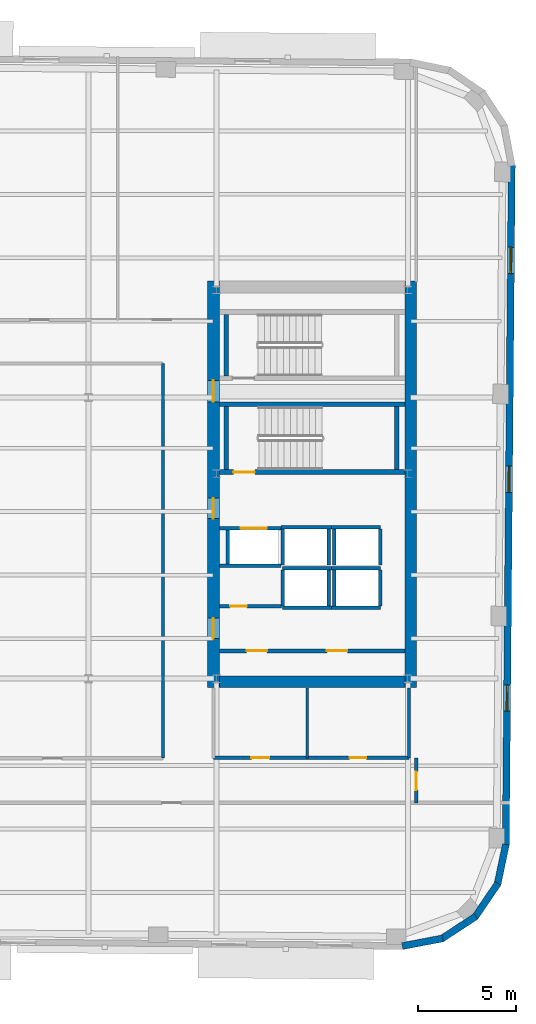
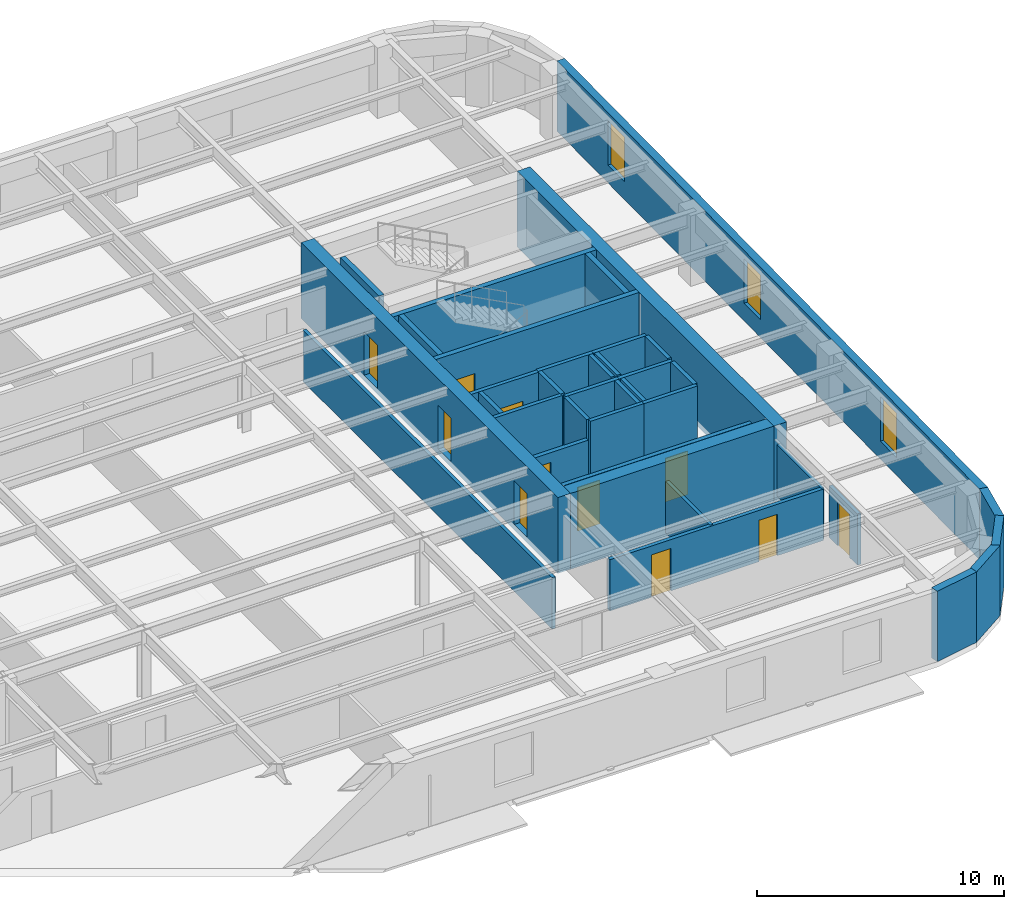
# One storey, part 5 of 10: 37 walls, 11 doors, 3 windows, 14 openings.
"""IFC4 building model written with IfcOpenShell, lengths in metres."""

from ifc_helpers import new_model, si_unit, direction, frame, frame_2d, origin, place, context, subcontext, project, spatial, rectangle, extrude, material, layer, layer_set, type_object, element, fill, save


model = new_model("IFC4")

# Units and contexts
model_context = context("Model", 3, precision=1e-05, world=origin(), true_north=direction((0.0, 1.0)))
body_context = subcontext(model_context, "Body", "Model", "MODEL_VIEW")
ifc_project = project(units=[si_unit("LENGTHUNIT", "METRE"), si_unit("AREAUNIT", "SQUARE_METRE"), si_unit("VOLUMEUNIT", "CUBIC_METRE"), si_unit("PLANEANGLEUNIT", "RADIAN"), si_unit("MASSUNIT", "GRAM", prefix="KILO")], contexts=[model_context])

# Site, building, storey
site_placement = place(None, origin())
site = spatial("IfcSite", under=ifc_project, at=site_placement, CompositionType="ELEMENT")
building_placement = place(site_placement, origin())
building = spatial("IfcBuilding", under=site, at=building_placement, Name="Kolvaren Arena Tower", CompositionType="ELEMENT")
storey_placement = place(building_placement, frame((0.0, 0.0, 192.199951171875)))
storey = spatial("IfcBuildingStorey", under=building, at=storey_placement, Name="L46", CompositionType="ELEMENT", Elevation=192.199951171875)

# Wall
ifc_material_1 = material(Name="Gypsum board acoustic assembly", Category="gypsum")
ifc_layer_1 = layer(ifc_material_1, 0.159912109375)
ifc_layer_set_1 = layer_set([ifc_layer_1], Name="Gypsum board acoustic assembly")
wall_type_1 = type_object("IfcWallType", Name="CORR-160", PredefinedType="PARTITIONING", material=ifc_layer_set_1)
wall_1_placement = place(storey_placement, frame((47.820068359375, 15.3798828125, 0.0), z_axis=(0.0, 0.0, 1.0), x_axis=(0.0, 1.0, 0.0)))
element("IfcWall", 1, at=wall_1_placement, inside=storey, type_object=wall_type_1, Name="Interior Partition Wall (L46)", PredefinedType="PARTITIONING", context=body_context, shape_type="SweptSolid", body=[
    extrude(rectangle(XDim=20.2001953125, YDim=0.159912109375, at=frame_2d((10.10009765625, 0.0))), origin(), (0.0, 0.0, 1.0), 2.5400390625),
])

# Wall, opening, door
wall_2_placement = place(storey_placement, frame((60.780029296875, 13.10009765625, 0.0), z_axis=(0.0, 0.0, 1.0), x_axis=(0.0, 1.0, 0.0)))
wall_2 = element("IfcWall", 2, at=wall_2_placement, inside=storey, type_object=wall_type_1, Name="Interior Partition Wall (L46)", PredefinedType="PARTITIONING", context=body_context, shape_type="SweptSolid", body=[
    extrude(rectangle(XDim=2.2998046875, YDim=0.159912109375, at=frame_2d((1.14990234375, 0.0))), origin(), (0.0, 0.0, 1.0), 2.5400390625),
])
opening_1_placement = place(wall_2_placement, frame((0.64990234375, 0.0, 0.0)))
opening_1 = element("IfcOpeningElement", 3, at=opening_1_placement, cuts=wall_2, Name="Opening D05", PredefinedType="OPENING", context=body_context, shape_type="SweptSolid", body=[
    extrude(rectangle(XDim=0.949951171875, YDim=2.14990234375, at=frame_2d((0.47509765625, 1.074951171875))), frame((0.0, 0.08984375, 0.0), z_axis=(0.0, -1.0, 0.0), x_axis=(1.0, 0.0, 0.0)), (0.0, 0.0, 1.0), 0.179931640625),
])
ifc_material_2 = material(Name="Solid-core oak acoustic office door", Category="wood")
door_type_1 = type_object("IfcDoorType", Name="DOOR-OF-095", OperationType="NOTDEFINED", PredefinedType="DOOR", material=ifc_material_2)
door_1_placement = place(opening_1_placement, origin())
door_1 = element("IfcDoor", 4, at=door_1_placement, inside=storey, type_object=door_type_1, Name="East Wing Studio Door (L46)", OperationType="SINGLE_SWING_RIGHT", OverallHeight=2.14990234375, OverallWidth=0.949951171875, PredefinedType="DOOR", context=body_context, shape_type="SweptSolid", body=[
    extrude(rectangle(XDim=0.949951171875, YDim=2.14990234375, at=frame_2d((0.47509765625, 1.074951171875))), frame((0.0, 0.02490234375, 0.0), z_axis=(0.0, -1.0, 0.0), x_axis=(1.0, 0.0, 0.0)), (0.0, 0.0, 1.0), 0.050048828125),
])
fill(opening_1, door_1)

# Wall, openings, doors
ifc_material_3 = material(Name="Concrete 60 MPa", Category="concrete")
ifc_layer_2 = layer(ifc_material_3, 0.60009765625)
ifc_layer_set_2 = layer_set([ifc_layer_2], Name="Concrete 60 MPa")
wall_type_2 = type_object("IfcWallType", Name="CWALL-600", PredefinedType="SHEAR", material=ifc_layer_set_2)
wall_3_placement = place(storey_placement, frame((50.39990234375, 19.0, -0.27001953125), z_axis=(0.0, 0.0, 1.0), x_axis=(0.0, 1.0, 0.0)))
wall_3 = element("IfcWall", 5, at=wall_3_placement, inside=storey, type_object=wall_type_2, Name="Core Shear Wall EC-WEST (L46)", PredefinedType="SHEAR", context=body_context, shape_type="SweptSolid", body=[
    extrude(rectangle(XDim=20.800048828125, YDim=0.60009765625, at=frame_2d((10.39990234375, 0.0))), origin(), (0.0, 0.0, 1.0), 3.75),
])
opening_2_placement = place(wall_3_placement, frame((2.5, 0.0, 0.27001953125)))
opening_2 = element("IfcOpeningElement", 6, at=opening_2_placement, cuts=wall_3, Name="Opening D04", PredefinedType="OPENING", context=body_context, shape_type="SweptSolid", body=[
    extrude(rectangle(XDim=1.050048828125, YDim=2.14990234375, at=frame_2d((0.52490234375, 1.074951171875))), frame((0.0, 0.31005859375, 0.0), z_axis=(0.0, -1.0, 0.0), x_axis=(1.0, 0.0, 0.0)), (0.0, 0.0, 1.0), 0.6201171875),
])
opening_3_placement = place(wall_3_placement, frame((8.64990234375, 0.0, 0.27001953125)))
opening_3 = element("IfcOpeningElement", 7, at=opening_3_placement, cuts=wall_3, Name="Opening D04", PredefinedType="OPENING", context=body_context, shape_type="SweptSolid", body=[
    extrude(rectangle(XDim=1.050048828125, YDim=2.14990234375, at=frame_2d((0.52490234375, 1.074951171875))), frame((0.0, 0.31005859375, 0.0), z_axis=(0.0, -1.0, 0.0), x_axis=(1.0, 0.0, 0.0)), (0.0, 0.0, 1.0), 0.6201171875),
])
opening_4_placement = place(wall_3_placement, frame((14.6201171875, 0.0, 0.27001953125)))
opening_4 = element("IfcOpeningElement", 8, at=opening_4_placement, cuts=wall_3, Name="Opening D03", PredefinedType="OPENING", context=body_context, shape_type="SweptSolid", body=[
    extrude(rectangle(XDim=1.10009765625, YDim=2.14990234375, at=frame_2d((0.550048828125, 1.074951171875))), frame((0.0, 0.31005859375, 0.0), z_axis=(0.0, -1.0, 0.0), x_axis=(1.0, 0.0, 0.0)), (0.0, 0.0, 1.0), 0.6201171875),
])
ifc_material_4 = material(Name="Fire-rated steel lobby door", Category="steel")
door_type_2 = type_object("IfcDoorType", Name="DOOR-FF-105", OperationType="NOTDEFINED", PredefinedType="DOOR", material=ifc_material_4)
door_2_placement = place(opening_2_placement, origin())
door_2 = element("IfcDoor", 9, at=door_2_placement, inside=storey, type_object=door_type_2, Name="East Lift Lobby Fire Door (L46)", OperationType="SINGLE_SWING_RIGHT", OverallHeight=2.14990234375, OverallWidth=1.050048828125, PredefinedType="DOOR", context=body_context, shape_type="SweptSolid", body=[
    extrude(rectangle(XDim=1.050048828125, YDim=2.14990234375, at=frame_2d((0.52490234375, 1.074951171875))), frame((0.0, 0.02490234375, 0.0), z_axis=(0.0, -1.0, 0.0), x_axis=(1.0, 0.0, 0.0)), (0.0, 0.0, 1.0), 0.050048828125),
])
fill(opening_2, door_2)
door_3_placement = place(opening_3_placement, origin())
door_3 = element("IfcDoor", 10, at=door_3_placement, inside=storey, type_object=door_type_2, Name="East Firefighter Vestibule Door (L46)", OperationType="SINGLE_SWING_LEFT", OverallHeight=2.14990234375, OverallWidth=1.050048828125, PredefinedType="DOOR", context=body_context, shape_type="SweptSolid", body=[
    extrude(rectangle(XDim=1.050048828125, YDim=2.14990234375, at=frame_2d((0.52490234375, 1.074951171875))), frame((0.0, 0.02490234375, 0.0), z_axis=(0.0, -1.0, 0.0), x_axis=(1.0, 0.0, 0.0)), (0.0, 0.0, 1.0), 0.050048828125),
])
fill(opening_3, door_3)
ifc_material_5 = material(Name="Fire-rated steel exit stair door", Category="steel")
door_type_3 = type_object("IfcDoorType", Name="DOOR-ST-110", OperationType="NOTDEFINED", PredefinedType="DOOR", material=ifc_material_5)
door_4_placement = place(opening_4_placement, origin())
door_4 = element("IfcDoor", 11, at=door_4_placement, inside=storey, type_object=door_type_3, Name="Stair ST-E2 Vestibule Fire Door (L46)", OperationType="SINGLE_SWING_LEFT", OverallHeight=2.14990234375, OverallWidth=1.10009765625, PredefinedType="DOOR", context=body_context, shape_type="SweptSolid", body=[
    extrude(rectangle(XDim=1.10009765625, YDim=2.14990234375, at=frame_2d((0.550048828125, 1.074951171875))), frame((0.0, 0.02490234375, 0.0), z_axis=(0.0, -1.0, 0.0), x_axis=(1.0, 0.0, 0.0)), (0.0, 0.0, 1.0), 0.050048828125),
])
fill(opening_4, door_4)

# Walls
wall_4_placement = place(storey_placement, frame((60.5, 19.0, -0.27001953125), z_axis=(0.0, 0.0, 1.0), x_axis=(0.0, 1.0, 0.0)))
element("IfcWall", 12, at=wall_4_placement, inside=storey, type_object=wall_type_2, Name="Core Shear Wall EC-EAST (L46)", PredefinedType="SHEAR", context=body_context, shape_type="SweptSolid", body=[
    extrude(rectangle(XDim=20.800048828125, YDim=0.60009765625, at=frame_2d((10.39990234375, 0.0))), origin(), (0.0, 0.0, 1.0), 3.75),
])
wall_5_placement = place(storey_placement, frame((50.699951171875, 19.300048828125, -0.27001953125), z_axis=(0.0, 0.0, 1.0), x_axis=(1.0, 0.0, 0.0)))
element("IfcWall", 13, at=wall_5_placement, inside=storey, type_object=wall_type_2, Name="Core Shear Wall EC-SOUTH (L46)", PredefinedType="SHEAR", context=body_context, shape_type="SweptSolid", body=[
    extrude(rectangle(XDim=9.5, YDim=0.60009765625, at=frame_2d((4.75, 0.0))), origin(), (0.0, 0.0, 1.0), 3.75),
])
ifc_material_6 = material(Name="Precast concrete C50/60", Category="concrete")
ifc_layer_3 = layer(ifc_material_6, 0.360107421875)
ifc_layer_set_3 = layer_set([ifc_layer_3], Name="Precast concrete C50/60")
wall_type_3 = type_object("IfcWallType", Name="EXT-PIER2", PredefinedType="SOLIDWALL", material=ifc_layer_set_3)
wall_6_placement = place(storey_placement, frame((62.136474609375, 6.155029296875, 0.0), z_axis=(0.0, 0.0, 1.0), x_axis=(-0.98246713518, -0.186435855703, 0.0)))
element("IfcWall", 14, at=wall_6_placement, inside=storey, type_object=wall_type_3, Name="Exterior Precast Masonry-Frame Wall (L46)", PredefinedType="SOLIDWALL", context=body_context, shape_type="SweptSolid", body=[
    extrude(rectangle(XDim=2.10693359375, YDim=0.360107421875, at=frame_2d((1.053466796875, 0.0))), origin(), (0.0, 0.0, 1.0), 3.47998046875),
])
wall_7_placement = place(storey_placement, frame((63.83349609375, 7.2841796875, 0.0), z_axis=(0.0, 0.0, 1.0), x_axis=(-0.836303589916, -0.548266637224, 0.0)))
element("IfcWall", 15, at=wall_7_placement, inside=storey, type_object=wall_type_3, Name="Exterior Precast Masonry-Frame Wall (L46)", PredefinedType="SOLIDWALL", context=body_context, shape_type="SweptSolid", body=[
    extrude(rectangle(XDim=2.107177734375, YDim=0.360107421875, at=frame_2d((1.0537109375, 0.0))), origin(), (0.0, 0.0, 1.0), 3.47998046875),
])
for number, where, z_axis, x_axis, name in (
    (16, (64.968994140625, 8.9765625, 0.0), (0.0, 0.0, 1.0), (-0.56277581689, -0.826609569219, 0.0), "Exterior Precast Masonry-Frame Wall (L46)"),
    (17, (65.370849609375, 10.974609375, 0.0), (0.0, 0.0, 1.0), (-0.203709000552, -0.979031482177, 0.0), "Exterior Precast Masonry-Frame Wall (L46)"),
):
    element("IfcWall", number, at=place(storey_placement, frame(where, z_axis=z_axis, x_axis=x_axis)), inside=storey, type_object=wall_type_3, Name=name, PredefinedType="SOLIDWALL", context=body_context, shape_type="SweptSolid", body=[
        extrude(rectangle(XDim=2.10693359375, YDim=0.360107421875, at=frame_2d((1.053466796875, 0.0))), origin(), (0.0, 0.0, 1.0), 3.47998046875),
    ])

# Wall, openings, windows
wall_8_placement = place(storey_placement, frame((65.670654296875, 45.73828125, 0.0), z_axis=(0.0, 0.0, 1.0), x_axis=(-0.008727348535, -0.999961915969, 0.0)))
wall_8 = element("IfcWall", 18, at=wall_8_placement, inside=storey, type_object=wall_type_3, Name="Exterior Precast Masonry-Frame Wall (L46)", PredefinedType="SOLIDWALL", context=body_context, shape_type="SweptSolid", body=[
    extrude(rectangle(XDim=34.7998046875, YDim=0.360107421875, at=frame_2d((17.39990234375, 0.0))), origin(), (0.0, 0.0, 1.0), 3.47998046875),
])
opening_5_placement = place(wall_8_placement, frame((4.199951171875, 0.0, 0.8798828125)))
opening_5 = element("IfcOpeningElement", 19, at=opening_5_placement, cuts=wall_8, Name="Opening W04", PredefinedType="OPENING", context=body_context, shape_type="SweptSolid", body=[
    extrude(rectangle(XDim=1.35009765625, YDim=2.199951171875, at=frame_2d((0.675048828125, 1.10009765625))), frame((0.0, 0.18994140625, 0.0), z_axis=(0.0, -1.0, 0.0), x_axis=(1.0, 0.0, 0.0)), (0.0, 0.0, 1.0), 0.380126953125),
])
opening_6_placement = place(wall_8_placement, frame((15.39990234375, 0.0, 0.8798828125)))
opening_6 = element("IfcOpeningElement", 20, at=opening_6_placement, cuts=wall_8, Name="Opening W04", PredefinedType="OPENING", context=body_context, shape_type="SweptSolid", body=[
    extrude(rectangle(XDim=1.35009765625, YDim=2.199951171875, at=frame_2d((0.675048828125, 1.10009765625))), frame((0.0, 0.18994140625, 0.0), z_axis=(0.0, -1.0, 0.0), x_axis=(1.0, 0.0, 0.0)), (0.0, 0.0, 1.0), 0.380126953125),
])
opening_7_placement = place(wall_8_placement, frame((26.60009765625, 0.0, 0.8798828125)))
opening_7 = element("IfcOpeningElement", 21, at=opening_7_placement, cuts=wall_8, Name="Opening W04", PredefinedType="OPENING", context=body_context, shape_type="SweptSolid", body=[
    extrude(rectangle(XDim=1.35009765625, YDim=2.199951171875, at=frame_2d((0.675048828125, 1.10009765625))), frame((0.0, 0.18994140625, 0.0), z_axis=(0.0, -1.0, 0.0), x_axis=(1.0, 0.0, 0.0)), (0.0, 0.0, 1.0), 0.380126953125),
])
ifc_material_7 = material(Name="Triple-glazed curved-facet corner window", Category="glass")
window_type = type_object("IfcWindowType", Name="WIN-CRN-A", PartitioningType="SINGLE_PANEL", PredefinedType="WINDOW", material=ifc_material_7)
window_1_placement = place(opening_5_placement, origin())
window_1 = element("IfcWindow", 22, at=window_1_placement, inside=storey, type_object=window_type, Name="End-Wall Punched Window (L46)", OverallHeight=2.199951171875, OverallWidth=1.35009765625, PartitioningType="SINGLE_PANEL", PredefinedType="WINDOW", context=body_context, shape_type="SweptSolid", body=[
    extrude(rectangle(XDim=1.35009765625, YDim=2.199951171875, at=frame_2d((0.675048828125, 1.10009765625))), frame((0.0, 0.030029296875, 0.0), z_axis=(0.0, -1.0, 0.0), x_axis=(1.0, 0.0, 0.0)), (0.0, 0.0, 1.0), 0.06005859375),
])
fill(opening_5, window_1)
window_2_placement = place(opening_6_placement, origin())
window_2 = element("IfcWindow", 23, at=window_2_placement, inside=storey, type_object=window_type, Name="End-Wall Punched Window (L46)", OverallHeight=2.199951171875, OverallWidth=1.35009765625, PartitioningType="SINGLE_PANEL", PredefinedType="WINDOW", context=body_context, shape_type="SweptSolid", body=[
    extrude(rectangle(XDim=1.35009765625, YDim=2.199951171875, at=frame_2d((0.675048828125, 1.10009765625))), frame((0.0, 0.030029296875, 0.0), z_axis=(0.0, -1.0, 0.0), x_axis=(1.0, 0.0, 0.0)), (0.0, 0.0, 1.0), 0.06005859375),
])
fill(opening_6, window_2)
window_3_placement = place(opening_7_placement, origin())
window_3 = element("IfcWindow", 24, at=window_3_placement, inside=storey, type_object=window_type, Name="End-Wall Punched Window (L46)", OverallHeight=2.199951171875, OverallWidth=1.35009765625, PartitioningType="SINGLE_PANEL", PredefinedType="WINDOW", context=body_context, shape_type="SweptSolid", body=[
    extrude(rectangle(XDim=1.35009765625, YDim=2.199951171875, at=frame_2d((0.675048828125, 1.10009765625))), frame((0.0, 0.030029296875, 0.0), z_axis=(0.0, -1.0, 0.0), x_axis=(1.0, 0.0, 0.0)), (0.0, 0.0, 1.0), 0.06005859375),
])
fill(opening_7, window_3)

# Wall, openings, doors
ifc_material_8 = material(Name="Concrete 40 MPa", Category="concrete")
ifc_layer_4 = layer(ifc_material_8, 0.199951171875)
ifc_layer_set_4 = layer_set([ifc_layer_4], Name="Concrete 40 MPa")
wall_type_4 = type_object("IfcWallType", Name="LOBBY-200", PredefinedType="SOLIDWALL", material=ifc_layer_set_4)
wall_9_placement = place(storey_placement, frame((50.699951171875, 20.8798828125, 0.0), z_axis=(0.0, 0.0, 1.0), x_axis=(1.0, 0.0, 0.0)))
wall_9 = element("IfcWall", 25, at=wall_9_placement, inside=storey, type_object=wall_type_4, Name="Core Shaft Wall (L46)", PredefinedType="SOLIDWALL", context=body_context, shape_type="SweptSolid", body=[
    extrude(rectangle(XDim=9.5, YDim=0.199951171875, at=frame_2d((4.75, 0.0))), origin(), (0.0, 0.0, 1.0), 2.5400390625),
])
opening_8_placement = place(wall_9_placement, frame((1.39990234375, 0.0, 0.0)))
opening_8 = element("IfcOpeningElement", 26, at=opening_8_placement, cuts=wall_9, Name="Opening D04", PredefinedType="OPENING", context=body_context, shape_type="SweptSolid", body=[
    extrude(rectangle(XDim=1.050048828125, YDim=2.14990234375, at=frame_2d((0.52490234375, 1.074951171875))), frame((0.0, 0.10986328125, 0.0), z_axis=(0.0, -1.0, 0.0), x_axis=(1.0, 0.0, 0.0)), (0.0, 0.0, 1.0), 0.219970703125),
])
opening_9_placement = place(wall_9_placement, frame((5.5, 0.0, 0.0)))
opening_9 = element("IfcOpeningElement", 27, at=opening_9_placement, cuts=wall_9, Name="Opening D04", PredefinedType="OPENING", context=body_context, shape_type="SweptSolid", body=[
    extrude(rectangle(XDim=1.050048828125, YDim=2.14990234375, at=frame_2d((0.52490234375, 1.074951171875))), frame((0.0, 0.10986328125, 0.0), z_axis=(0.0, -1.0, 0.0), x_axis=(1.0, 0.0, 0.0)), (0.0, 0.0, 1.0), 0.219970703125),
])
door_5_placement = place(opening_8_placement, origin())
door_5 = element("IfcDoor", 28, at=door_5_placement, inside=storey, type_object=door_type_2, Name="East Telecom Room Fire Door (L46)", OperationType="SINGLE_SWING_RIGHT", OverallHeight=2.14990234375, OverallWidth=1.050048828125, PredefinedType="DOOR", context=body_context, shape_type="SweptSolid", body=[
    extrude(rectangle(XDim=1.050048828125, YDim=2.14990234375, at=frame_2d((0.52490234375, 1.074951171875))), frame((0.0, 0.02490234375, 0.0), z_axis=(0.0, -1.0, 0.0), x_axis=(1.0, 0.0, 0.0)), (0.0, 0.0, 1.0), 0.050048828125),
])
fill(opening_8, door_5)
door_6_placement = place(opening_9_placement, origin())
door_6 = element("IfcDoor", 29, at=door_6_placement, inside=storey, type_object=door_type_2, Name="East Records Room Fire Door (L46)", OperationType="SINGLE_SWING_LEFT", OverallHeight=2.14990234375, OverallWidth=1.050048828125, PredefinedType="DOOR", context=body_context, shape_type="SweptSolid", body=[
    extrude(rectangle(XDim=1.050048828125, YDim=2.14990234375, at=frame_2d((0.52490234375, 1.074951171875))), frame((0.0, 0.02490234375, 0.0), z_axis=(0.0, -1.0, 0.0), x_axis=(1.0, 0.0, 0.0)), (0.0, 0.0, 1.0), 0.050048828125),
])
fill(opening_9, door_6)

# Wall, opening, door
wall_10_placement = place(storey_placement, frame((50.699951171875, 23.159912109375, 0.0), z_axis=(0.0, 0.0, 1.0), x_axis=(1.0, 0.0, 0.0)))
wall_10 = element("IfcWall", 30, at=wall_10_placement, inside=storey, type_object=wall_type_4, Name="Core Shaft Wall (L46)", PredefinedType="SOLIDWALL", context=body_context, shape_type="SweptSolid", body=[
    extrude(rectangle(XDim=3.179931640625, YDim=0.199951171875, at=frame_2d((1.58984375, 0.0))), origin(), (0.0, 0.0, 1.0), 2.5400390625),
])
opening_10_placement = place(wall_10_placement, frame((0.550048828125, 0.0, 0.0)))
opening_10 = element("IfcOpeningElement", 31, at=opening_10_placement, cuts=wall_10, Name="Opening D09", PredefinedType="OPENING", context=body_context, shape_type="SweptSolid", body=[
    extrude(rectangle(XDim=0.860107421875, YDim=2.050048828125, at=frame_2d((0.43017578125, 1.02490234375))), frame((0.0, 0.10986328125, 0.0), z_axis=(0.0, -1.0, 0.0), x_axis=(1.0, 0.0, 0.0)), (0.0, 0.0, 1.0), 0.219970703125),
])
ifc_material_9 = material(Name="Fire-rated steel riser access door", Category="steel")
door_type_4 = type_object("IfcDoorType", Name="DOOR-RS-086", OperationType="NOTDEFINED", PredefinedType="DOOR", material=ifc_material_9)
door_7_placement = place(opening_10_placement, origin())
door_7 = element("IfcDoor", 32, at=door_7_placement, inside=storey, type_object=door_type_4, Name="East AV Riser Closet Door (L46)", OperationType="SINGLE_SWING_LEFT", OverallHeight=2.050048828125, OverallWidth=0.860107421875, PredefinedType="DOOR", context=body_context, shape_type="SweptSolid", body=[
    extrude(rectangle(XDim=0.860107421875, YDim=2.050048828125, at=frame_2d((0.43017578125, 1.02490234375))), frame((0.0, 0.02490234375, 0.0), z_axis=(0.0, -1.0, 0.0), x_axis=(1.0, 0.0, 0.0)), (0.0, 0.0, 1.0), 0.050048828125),
])
fill(opening_10, door_7)

ifc_material_10 = material(Name="Concrete 45 MPa", Category="concrete")
ifc_layer_5 = layer(ifc_material_10, 0.25)
ifc_layer_set_5 = layer_set([ifc_layer_5], Name="Concrete 45 MPa")
wall_type_5 = type_object("IfcWallType", Name="SHAFT-250", PredefinedType="SOLIDWALL", material=ifc_layer_set_5)
wall_11_placement = place(storey_placement, frame((60.199951171875, 30.030029296875, 0.0), z_axis=(0.0, 0.0, 1.0), x_axis=(-1.0, 0.0, 0.0)))
wall_11 = element("IfcWall", 33, at=wall_11_placement, inside=storey, type_object=wall_type_5, Name="Core Shaft Wall (L46)", PredefinedType="SOLIDWALL", context=body_context, shape_type="SweptSolid", body=[
    extrude(rectangle(XDim=9.5, YDim=0.239990234375, at=frame_2d((4.75, 0.0))), origin(), (0.0, 0.0, 1.0), 3.47998046875),
])
opening_11_placement = place(wall_11_placement, frame((7.679931640625, 0.0, 0.0)))
opening_11 = element("IfcOpeningElement", 34, at=opening_11_placement, cuts=wall_11, Name="Opening D03", PredefinedType="OPENING", context=body_context, shape_type="SweptSolid", body=[
    extrude(rectangle(XDim=1.10009765625, YDim=2.14990234375, at=frame_2d((0.550048828125, 1.074951171875))), frame((0.0, 0.1298828125, 0.0), z_axis=(0.0, -1.0, 0.0), x_axis=(1.0, 0.0, 0.0)), (0.0, 0.0, 1.0), 0.260009765625),
])
door_8_placement = place(opening_11_placement, origin())
door_8 = element("IfcDoor", 35, at=door_8_placement, inside=storey, type_object=door_type_3, Name="Stair ST-E1 Fire Door (L46)", OperationType="SINGLE_SWING_LEFT", OverallHeight=2.14990234375, OverallWidth=1.10009765625, PredefinedType="DOOR", context=body_context, shape_type="SweptSolid", body=[
    extrude(rectangle(XDim=1.10009765625, YDim=2.14990234375, at=frame_2d((0.550048828125, 1.074951171875))), frame((0.0, 0.02490234375, 0.0), z_axis=(0.0, -1.0, 0.0), x_axis=(1.0, 0.0, 0.0)), (0.0, 0.0, 1.0), 0.050048828125),
])
fill(opening_11, door_8)

# Walls
wall_12_placement = place(storey_placement, frame((50.699951171875, 33.5, 0.0), z_axis=(0.0, 0.0, 1.0), x_axis=(1.0, 0.0, 0.0)))
element("IfcWall", 36, at=wall_12_placement, inside=storey, type_object=wall_type_5, Name="Core Shaft Wall (L46)", PredefinedType="SOLIDWALL", context=body_context, shape_type="SweptSolid", body=[
    extrude(rectangle(XDim=9.5, YDim=0.239990234375, at=frame_2d((4.75, 0.0))), origin(), (0.0, 0.0, 1.0), 3.47998046875),
])
for number, where, z_axis, x_axis, name in (
    (37, (51.06005859375, 30.14990234375, 0.0), (0.0, 0.0, 1.0), (0.0, 1.0, 0.0), "Core Shaft Wall (L46)"),
    (38, (59.780029296875, 30.14990234375, 0.0), (0.0, 0.0, 1.0), (0.0, 1.0, 0.0), "Core Shaft Wall (L46)"),
):
    element("IfcWall", number, at=place(storey_placement, frame(where, z_axis=z_axis, x_axis=x_axis)), inside=storey, type_object=wall_type_5, Name=name, PredefinedType="SOLIDWALL", context=body_context, shape_type="SweptSolid", body=[
        extrude(rectangle(XDim=3.22998046875, YDim=0.239990234375, at=frame_2d((1.614990234375, 0.0))), origin(), (0.0, 0.0, 1.0), 3.47998046875),
    ])
wall_13_placement = place(storey_placement, frame((51.06005859375, 34.949951171875, 0.0), z_axis=(0.0, 0.0, 1.0), x_axis=(0.0, 1.0, 0.0)))
element("IfcWall", 39, at=wall_13_placement, inside=storey, type_object=wall_type_5, Name="Core Shaft Wall (L46)", PredefinedType="SOLIDWALL", context=body_context, shape_type="SweptSolid", body=[
    extrude(rectangle(XDim=3.150146484375, YDim=0.239990234375, at=frame_2d((1.5751953125, 0.0))), origin(), (0.0, 0.0, 1.0), 3.47998046875),
])
for number, where, z_axis, x_axis, name in (
    (40, (53.93994140625, 25.10498046875, 0.0), (0.0, 0.0, 1.0), (1.0, 0.0, 0.0), "Core Shaft Wall (L46)"),
    (41, (53.93994140625, 23.094970703125, 0.0), (0.0, 0.0, 1.0), (1.0, 0.0, 0.0), "Core Shaft Wall (L46)"),
):
    element("IfcWall", number, at=place(storey_placement, frame(where, z_axis=z_axis, x_axis=x_axis)), inside=storey, type_object=wall_type_5, Name=name, PredefinedType="SOLIDWALL", context=body_context, shape_type="SweptSolid", body=[
        extrude(rectangle(XDim=2.5, YDim=0.179931640625, at=frame_2d((1.25, 0.0))), origin(), (0.0, 0.0, 1.0), 3.47998046875),
    ])
for number, where, z_axis, x_axis, name in (
    (42, (53.93994140625, 23.18505859375, 0.0), (0.0, 0.0, 1.0), (0.0, 1.0, 0.0), "Core Shaft Wall (L46)"),
    (43, (56.300048828125, 23.18505859375, 0.0), (0.0, 0.0, 1.0), (0.0, 1.0, 0.0), "Core Shaft Wall (L46)"),
):
    element("IfcWall", number, at=place(storey_placement, frame(where, z_axis=z_axis, x_axis=x_axis)), inside=storey, type_object=wall_type_5, Name=name, PredefinedType="SOLIDWALL", context=body_context, shape_type="SweptSolid", body=[
        extrude(rectangle(XDim=1.829833984375, YDim=0.179931640625, at=frame_2d((0.9150390625, 0.0))), origin(), (0.0, 0.0, 1.0), 3.47998046875),
    ])
for number, where, z_axis, x_axis, name in (
    (44, (56.43994140625, 25.10498046875, 0.0), (0.0, 0.0, 1.0), (1.0, 0.0, 0.0), "Core Shaft Wall (L46)"),
    (45, (56.43994140625, 23.094970703125, 0.0), (0.0, 0.0, 1.0), (1.0, 0.0, 0.0), "Core Shaft Wall (L46)"),
):
    element("IfcWall", number, at=place(storey_placement, frame(where, z_axis=z_axis, x_axis=x_axis)), inside=storey, type_object=wall_type_5, Name=name, PredefinedType="SOLIDWALL", context=body_context, shape_type="SweptSolid", body=[
        extrude(rectangle(XDim=2.5, YDim=0.179931640625, at=frame_2d((1.25, 0.0))), origin(), (0.0, 0.0, 1.0), 3.47998046875),
    ])
for number, where, z_axis, x_axis, name in (
    (46, (56.580078125, 23.18505859375, 0.0), (0.0, 0.0, 1.0), (0.0, 1.0, 0.0), "Core Shaft Wall (L46)"),
    (47, (58.93994140625, 23.18505859375, 0.0), (0.0, 0.0, 1.0), (0.0, 1.0, 0.0), "Core Shaft Wall (L46)"),
):
    element("IfcWall", number, at=place(storey_placement, frame(where, z_axis=z_axis, x_axis=x_axis)), inside=storey, type_object=wall_type_5, Name=name, PredefinedType="SOLIDWALL", context=body_context, shape_type="SweptSolid", body=[
        extrude(rectangle(XDim=1.829833984375, YDim=0.179931640625, at=frame_2d((0.9150390625, 0.0))), origin(), (0.0, 0.0, 1.0), 3.47998046875),
    ])
wall_14_placement = place(storey_placement, frame((53.864990234375, 27.205078125, 0.0), z_axis=(0.0, 0.0, 1.0), x_axis=(1.0, 0.0, 0.0)))
element("IfcWall", 48, at=wall_14_placement, inside=storey, type_object=wall_type_5, Name="Core Shaft Wall (L46)", PredefinedType="SOLIDWALL", context=body_context, shape_type="SweptSolid", body=[
    extrude(rectangle(XDim=2.574951171875, YDim=0.179931640625, at=frame_2d((1.28759765625, 0.0))), origin(), (0.0, 0.0, 1.0), 3.47998046875),
])
for number, where, z_axis, x_axis, name in (
    (49, (53.93994140625, 25.284912109375, 0.0), (0.0, 0.0, 1.0), (0.0, 1.0, 0.0), "Core Shaft Wall (L46)"),
    (50, (56.300048828125, 25.284912109375, 0.0), (0.0, 0.0, 1.0), (0.0, 1.0, 0.0), "Core Shaft Wall (L46)"),
):
    element("IfcWall", number, at=place(storey_placement, frame(where, z_axis=z_axis, x_axis=x_axis)), inside=storey, type_object=wall_type_5, Name=name, PredefinedType="SOLIDWALL", context=body_context, shape_type="SweptSolid", body=[
        extrude(rectangle(XDim=1.830078125, YDim=0.179931640625, at=frame_2d((0.9150390625, 0.0))), origin(), (0.0, 0.0, 1.0), 3.47998046875),
    ])
wall_15_placement = place(storey_placement, frame((56.43994140625, 27.205078125, 0.0), z_axis=(0.0, 0.0, 1.0), x_axis=(1.0, 0.0, 0.0)))
element("IfcWall", 51, at=wall_15_placement, inside=storey, type_object=wall_type_5, Name="Core Shaft Wall (L46)", PredefinedType="SOLIDWALL", context=body_context, shape_type="SweptSolid", body=[
    extrude(rectangle(XDim=2.5, YDim=0.179931640625, at=frame_2d((1.25, 0.0))), origin(), (0.0, 0.0, 1.0), 3.47998046875),
])
for number, where, z_axis, x_axis, name in (
    (52, (56.580078125, 25.284912109375, 0.0), (0.0, 0.0, 1.0), (0.0, 1.0, 0.0), "Core Shaft Wall (L46)"),
    (53, (58.93994140625, 25.284912109375, 0.0), (0.0, 0.0, 1.0), (0.0, 1.0, 0.0), "Core Shaft Wall (L46)"),
):
    element("IfcWall", number, at=place(storey_placement, frame(where, z_axis=z_axis, x_axis=x_axis)), inside=storey, type_object=wall_type_5, Name=name, PredefinedType="SOLIDWALL", context=body_context, shape_type="SweptSolid", body=[
        extrude(rectangle(XDim=1.830078125, YDim=0.179931640625, at=frame_2d((0.9150390625, 0.0))), origin(), (0.0, 0.0, 1.0), 3.47998046875),
    ])

# Wall, opening, door
wall_16_placement = place(storey_placement, frame((50.699951171875, 27.155029296875, 0.0), z_axis=(0.0, 0.0, 1.0), x_axis=(1.0, 0.0, 0.0)))
wall_16 = element("IfcWall", 54, at=wall_16_placement, inside=storey, type_object=wall_type_5, Name="Core Shaft Wall (L46)", PredefinedType="SOLIDWALL", context=body_context, shape_type="SweptSolid", body=[
    extrude(rectangle(XDim=3.1650390625, YDim=0.179931640625, at=frame_2d((1.58251953125, 0.0))), origin(), (0.0, 0.0, 1.0), 3.47998046875),
])
opening_12_placement = place(wall_16_placement, frame((1.0849609375, 0.0, 0.0)))
opening_12 = element("IfcOpeningElement", 55, at=opening_12_placement, cuts=wall_16, Name="Opening LD2", PredefinedType="OPENING", context=body_context, shape_type="SweptSolid", body=[
    extrude(rectangle(XDim=1.35009765625, YDim=2.300048828125, at=frame_2d((0.675048828125, 1.14990234375))), frame((0.0, 0.099853515625, 0.0), z_axis=(0.0, -1.0, 0.0), x_axis=(1.0, 0.0, 0.0)), (0.0, 0.0, 1.0), 0.199951171875),
])
ifc_material_11 = material(Name="Stainless steel firefighter lift landing door", Category="steel")
door_type_5 = type_object("IfcDoorType", Name="DOOR-LD-135", OperationType="DOUBLE_DOOR_SLIDING", PredefinedType="DOOR", material=ifc_material_11)
door_9_placement = place(opening_12_placement, origin())
door_9 = element("IfcDoor", 56, at=door_9_placement, inside=storey, type_object=door_type_5, Name="Firefighter Lift FF-E1 Landing Door (L46)", OperationType="DOUBLE_DOOR_SLIDING", OverallHeight=2.300048828125, OverallWidth=1.35009765625, PredefinedType="DOOR", context=body_context, shape_type="SweptSolid", body=[
    extrude(rectangle(XDim=1.35009765625, YDim=2.300048828125, at=frame_2d((0.675048828125, 1.14990234375))), frame((0.0, 0.02490234375, 0.0), z_axis=(0.0, -1.0, 0.0), x_axis=(1.0, 0.0, 0.0)), (0.0, 0.0, 1.0), 0.050048828125),
])
fill(opening_12, door_9)

# Walls
wall_17_placement = place(storey_placement, frame((50.699951171875, 25.2451171875, 0.0), z_axis=(0.0, 0.0, 1.0), x_axis=(1.0, 0.0, 0.0)))
element("IfcWall", 57, at=wall_17_placement, inside=storey, type_object=wall_type_5, Name="Core Shaft Wall (L46)", PredefinedType="SOLIDWALL", context=body_context, shape_type="SweptSolid", body=[
    extrude(rectangle(XDim=3.1650390625, YDim=0.179931640625, at=frame_2d((1.58251953125, 0.0))), origin(), (0.0, 0.0, 1.0), 3.47998046875),
])
wall_18_placement = place(storey_placement, frame((51.1298828125, 25.3349609375, 0.0), z_axis=(0.0, 0.0, 1.0), x_axis=(0.0, 1.0, 0.0)))
element("IfcWall", 58, at=wall_18_placement, inside=storey, type_object=wall_type_5, Name="Core Shaft Wall (L46)", PredefinedType="SOLIDWALL", context=body_context, shape_type="SweptSolid", body=[
    extrude(rectangle(XDim=1.72998046875, YDim=0.179931640625, at=frame_2d((0.864990234375, 0.0))), origin(), (0.0, 0.0, 1.0), 3.47998046875),
])

# Wall, openings, doors
wall_19_placement = place(storey_placement, frame((50.39990234375, 15.39990234375, 0.0), z_axis=(0.0, 0.0, 1.0), x_axis=(1.0, 0.0, 0.0)))
wall_19 = element("IfcWall", 59, at=wall_19_placement, inside=storey, type_object=wall_type_5, Name="Interior Partition Wall (L46)", PredefinedType="SOLIDWALL", context=body_context, shape_type="SweptSolid", body=[
    extrude(rectangle(XDim=10.0, YDim=0.179931640625, at=frame_2d((5.0, 0.0))), origin(), (0.0, 0.0, 1.0), 2.5400390625),
])
opening_13_placement = place(wall_19_placement, frame((1.93994140625, 0.0, 0.0)))
opening_13 = element("IfcOpeningElement", 60, at=opening_13_placement, cuts=wall_19, Name="Opening D07", PredefinedType="OPENING", context=body_context, shape_type="SweptSolid", body=[
    extrude(rectangle(XDim=0.919921875, YDim=2.10009765625, at=frame_2d((0.4599609375, 1.050048828125))), frame((0.0, 0.099853515625, 0.0), z_axis=(0.0, -1.0, 0.0), x_axis=(1.0, 0.0, 0.0)), (0.0, 0.0, 1.0), 0.199951171875),
])
opening_14_placement = place(wall_19_placement, frame((6.969970703125, 0.0, 0.0)))
opening_14 = element("IfcOpeningElement", 61, at=opening_14_placement, cuts=wall_19, Name="Opening D09", PredefinedType="OPENING", context=body_context, shape_type="SweptSolid", body=[
    extrude(rectangle(XDim=0.860107421875, YDim=2.050048828125, at=frame_2d((0.43017578125, 1.02490234375))), frame((0.0, 0.099853515625, 0.0), z_axis=(0.0, -1.0, 0.0), x_axis=(1.0, 0.0, 0.0)), (0.0, 0.0, 1.0), 0.199951171875),
])
door_10_placement = place(opening_14_placement, origin())
door_10 = element("IfcDoor", 62, at=door_10_placement, inside=storey, type_object=door_type_4, Name="Electrical Riser Closet Door (L46)", OperationType="SINGLE_SWING_LEFT", OverallHeight=2.050048828125, OverallWidth=0.860107421875, PredefinedType="DOOR", context=body_context, shape_type="SweptSolid", body=[
    extrude(rectangle(XDim=0.860107421875, YDim=2.050048828125, at=frame_2d((0.43017578125, 1.02490234375))), frame((0.0, 0.02490234375, 0.0), z_axis=(0.0, -1.0, 0.0), x_axis=(1.0, 0.0, 0.0)), (0.0, 0.0, 1.0), 0.050048828125),
])
fill(opening_14, door_10)
ifc_material_12 = material(Name="Laminate universal washroom door", Category="wood")
door_type_6 = type_object("IfcDoorType", Name="DOOR-WC-092", OperationType="NOTDEFINED", PredefinedType="DOOR", material=ifc_material_12)
door_11_placement = place(opening_13_placement, origin())
door_11 = element("IfcDoor", 63, at=door_11_placement, inside=storey, type_object=door_type_6, Name="Cleaner and Janitor Store Door (L46)", OperationType="SINGLE_SWING_RIGHT", OverallHeight=2.10009765625, OverallWidth=0.919921875, PredefinedType="DOOR", context=body_context, shape_type="SweptSolid", body=[
    extrude(rectangle(XDim=0.919921875, YDim=2.10009765625, at=frame_2d((0.4599609375, 1.050048828125))), frame((0.0, 0.02490234375, 0.0), z_axis=(0.0, -1.0, 0.0), x_axis=(1.0, 0.0, 0.0)), (0.0, 0.0, 1.0), 0.050048828125),
])
fill(opening_13, door_11)

# Walls
ifc_material_13 = material(Name="Moisture-resistant gypsum assembly", Category="gypsum")
ifc_layer_6 = layer(ifc_material_13, 0.14990234375)
ifc_layer_set_6 = layer_set([ifc_layer_6], Name="Moisture-resistant gypsum assembly")
wall_type_6 = type_object("IfcWallType", Name="WETW-150", PredefinedType="PARTITIONING", material=ifc_layer_set_6)
for number, where, z_axis, x_axis, name in (
    (64, (55.199951171875, 15.39990234375, 0.0), (0.0, 0.0, 1.0), (0.0, 1.0, 0.0), "Interior Partition Wall (L46)"),
    (65, (60.39990234375, 15.39990234375, 0.0), (0.0, 0.0, 1.0), (0.0, 1.0, 0.0), "Interior Partition Wall (L46)"),
):
    element("IfcWall", number, at=place(storey_placement, frame(where, z_axis=z_axis, x_axis=x_axis)), inside=storey, type_object=wall_type_6, Name=name, PredefinedType="PARTITIONING", context=body_context, shape_type="SweptSolid", body=[
        extrude(rectangle(XDim=3.580078125, YDim=0.14990234375, at=frame_2d((1.7900390625, 0.0))), origin(), (0.0, 0.0, 1.0), 2.5400390625),
    ])

save(model, "model.ifc")
